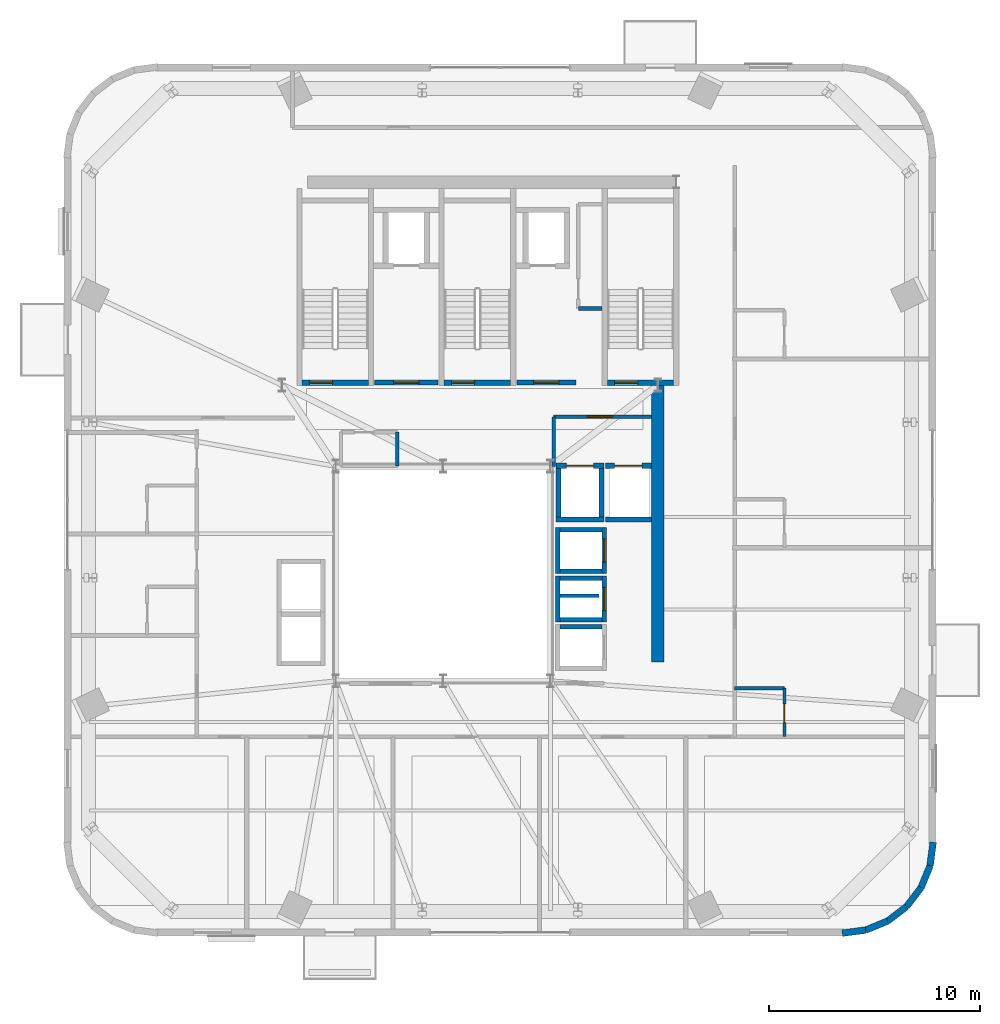
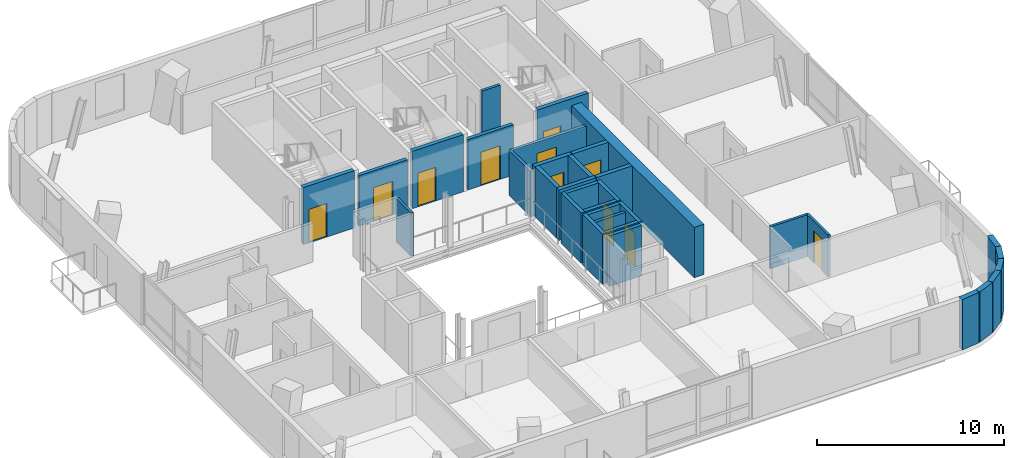
# One storey, part 7 of 13: 34 walls, 11 doors, 11 openings.
"""IFC4 building model written with IfcOpenShell, lengths in metres."""

import ifcopenshell
import ifcopenshell.guid

model = None  # the IFC model being written
_history = None  # IfcOwnerHistory: only IFC2X3 demands one
_inside = {}  # id of a spatial element -> (the spatial element, [elements in it])
_under = {}  # id of a project, library or spatial element -> (it, [spatial elements below it])
_declared = {}  # id of a project -> (the project, [libraries it declares])
_typed = {}  # id of a type object -> (the type object, [elements of that type])
_made_of = {}  # id of a material, layer set ... -> (it, [elements and type objects made of it])


def new_model(schema):
    """Start an empty IFC model of exactly this schema.

    Asked for "IFC4X3", IfcOpenShell would pick the latest addendum, in which some entities
    have other attributes; the version numbers below select the first issue.
    IFC2X3 requires an IfcOwnerHistory on every rooted entity: one is made here for all.
    """
    global model, _history
    if schema == "IFC4X3":
        model = ifcopenshell.file(schema_version=(4, 3, 0, 0))
    else:
        model = ifcopenshell.file(schema=schema)
    _inside.clear()
    _under.clear()
    _declared.clear()
    _typed.clear()
    _made_of.clear()
    _history = None
    if model.schema == "IFC2X3":
        org = make("IfcOrganization", Name="unknown")
        user = make(
            "IfcPersonAndOrganization",
            ThePerson=make("IfcPerson", FamilyName="unknown"),
            TheOrganization=org,
        )
        app = make(
            "IfcApplication",
            ApplicationDeveloper=org,
            Version="unknown",
            ApplicationFullName="unknown",
            ApplicationIdentifier="unknown",
        )
        _history = make(
            "IfcOwnerHistory",
            OwningUser=user,
            OwningApplication=app,
            ChangeAction="ADDED",
            CreationDate=0,
        )
    return model


def make(cls, **values):
    """One entity of the class cls with the attributes given. An attribute that is None is left unset."""
    return model.create_entity(
        cls, **{name: value for name, value in values.items() if value is not None}
    )


def rooted(cls, **values):
    """An entity with a GlobalId (a new one), such as an element, a storey or a relation."""
    return make(cls, GlobalId=ifcopenshell.guid.new(), OwnerHistory=_history, **values)


def si_unit(unit_type, name, prefix=None):
    """IfcSIUnit, for example si_unit("LENGTHUNIT", "METRE", prefix="MILLI")."""
    return make("IfcSIUnit", UnitType=unit_type, Prefix=prefix, Name=name)


def assignment(units):
    """IfcUnitAssignment: the units of a project."""
    return None if units is None else make("IfcUnitAssignment", Units=units)


def point(xyz):
    """IfcCartesianPoint."""
    return None if xyz is None else make("IfcCartesianPoint", Coordinates=xyz)


def direction(xyz):
    """IfcDirection."""
    return None if xyz is None else make("IfcDirection", DirectionRatios=xyz)


def frame(location, z_axis=None, x_axis=None):
    """IfcAxis2Placement3D, a coordinate frame: its origin and axes. An axis left out is left unset."""
    return make(
        "IfcAxis2Placement3D",
        Location=point(location),
        Axis=direction(z_axis),
        RefDirection=direction(x_axis),
    )


def frame_2d(location, x_axis=None):
    """IfcAxis2Placement2D, a coordinate frame in the plane: its origin and x axis."""
    return make(
        "IfcAxis2Placement2D", Location=point(location), RefDirection=direction(x_axis)
    )


def origin():
    """The frame at (0, 0, 0) with its axes left unset."""
    return frame((0.0, 0.0, 0.0))


def place(relative_to, where):
    """IfcLocalPlacement: puts the frame where relative to a parent placement (None: the world)."""
    return make(
        "IfcLocalPlacement", PlacementRelTo=relative_to, RelativePlacement=where
    )


def context(
    kind, dimensions, precision=None, world=None, true_north=None, identifier=None
):
    """IfcGeometricRepresentationContext, for example the 3D "Model" context."""
    return make(
        "IfcGeometricRepresentationContext",
        ContextIdentifier=identifier,
        ContextType=kind,
        CoordinateSpaceDimension=dimensions,
        Precision=precision,
        WorldCoordinateSystem=world,
        TrueNorth=true_north,
    )


def subcontext(parent, identifier, kind, view, scale=None):
    """IfcGeometricRepresentationSubContext, for example "Body" below "Model"."""
    return make(
        "IfcGeometricRepresentationSubContext",
        ContextIdentifier=identifier,
        ContextType=kind,
        ParentContext=parent,
        TargetScale=scale,
        TargetView=view,
    )


def project(units=None, contexts=None):
    """IfcProject with its units and contexts."""
    return rooted(
        "IfcProject",
        Name="project",
        RepresentationContexts=contexts,
        UnitsInContext=assignment(units),
    )


def spatial(cls, under=None, at=None, **own):
    """A site, building, storey or space (cls), placed at a placement, below another one or the project."""
    s = rooted(cls, ObjectPlacement=at, **own)
    if under is not None:
        _under.setdefault(under.id(), (under, []))[1].append(s)
    return s


def profile(cls, at=None, kind="AREA", **sizes):
    """A parametric profile (cls). Its sizes go by their IFC names, for example OverallWidth=200.0."""
    return make(cls, ProfileType=kind, Position=at, **sizes)


def rectangle(**sizes):
    """IfcRectangleProfileDef."""
    return profile("IfcRectangleProfileDef", **sizes)


def extrude(swept, where, along, depth):
    """IfcExtrudedAreaSolid: the profile swept, set in the frame where, extruded along a direction by depth."""
    return make(
        "IfcExtrudedAreaSolid",
        SweptArea=swept,
        Position=where,
        ExtrudedDirection=direction(along),
        Depth=depth,
    )


def shape(context_of_items, identifier, shape_type, items):
    """IfcShapeRepresentation: the items that make up one representation, for example the "Body"."""
    return make(
        "IfcShapeRepresentation",
        ContextOfItems=context_of_items,
        RepresentationIdentifier=identifier,
        RepresentationType=shape_type,
        Items=items,
    )


def source(mapping_origin, context_of_items, identifier, shape_type, items):
    """IfcRepresentationMap: a shape defined once, which mapped items show again and again."""
    return make(
        "IfcRepresentationMap",
        MappingOrigin=mapping_origin,
        MappedRepresentation=shape(context_of_items, identifier, shape_type, items),
    )


def transform(
    local_origin,
    x_axis=None,
    y_axis=None,
    z_axis=None,
    scale=None,
    scale2=None,
    scale3=None,
    uniform=True,
):
    """IfcCartesianTransformationOperator3D, or its non-uniform kind. x_axis, y_axis, z_axis: its Axis1, 2, 3."""
    if uniform:
        return make(
            "IfcCartesianTransformationOperator3D",
            Axis1=direction(x_axis),
            Axis2=direction(y_axis),
            LocalOrigin=point(local_origin),
            Scale=scale,
            Axis3=direction(z_axis),
        )
    return make(
        "IfcCartesianTransformationOperator3DnonUniform",
        Axis1=direction(x_axis),
        Axis2=direction(y_axis),
        LocalOrigin=point(local_origin),
        Scale=scale,
        Axis3=direction(z_axis),
        Scale2=scale2,
        Scale3=scale3,
    )


def mapped(mapping_source, mapping_target):
    """IfcMappedItem: shows the shape of a source again, moved by a transform."""
    return make(
        "IfcMappedItem", MappingSource=mapping_source, MappingTarget=mapping_target
    )


def material(Name=None, Category=None):
    """IfcMaterial."""
    return make("IfcMaterial", Name=Name, Category=Category)


def layer(
    of_material, thickness, ventilated=None, Name=None, Category=None, Priority=None
):
    """IfcMaterialLayer: one layer of a wall or slab, of a material (None: an air gap)."""
    return make(
        "IfcMaterialLayer",
        Material=of_material,
        LayerThickness=thickness,
        IsVentilated=ventilated,
        Name=Name,
        Category=Category,
        Priority=Priority,
    )


def layer_set(layers, Name=None):
    """IfcMaterialLayerSet."""
    return make("IfcMaterialLayerSet", MaterialLayers=layers, LayerSetName=Name)


def made_of(thing, what):
    """Note that an element or type object is made of a material, layer set ...; save() writes the relation."""
    if what is not None:
        _made_of.setdefault(what.id(), (what, []))[1].append(thing)
    return thing


def type_object(cls, material=None, **own):
    """A type object (cls), such as IfcWallType, which elements share."""
    return made_of(rooted(cls, **own), material)


def element(
    cls,
    number,
    at=None,
    inside=None,
    cuts=None,
    type_object=None,
    material=None,
    context=None,
    identifier="Body",
    shape_type=None,
    held_by="IfcProductDefinitionShape",
    body=None,
    shapes=None,
    **own,
):
    """One element of the class cls, such as IfcWall. Its Tag is "e" and its number.

    at: its placement. inside: the storey or other place that contains it. cuts: it is an
    opening in that element (IfcRelVoidsElement). A single representation is given by context,
    identifier, shape_type and body (its items); several are given by shapes. held_by: the class
    of the entity that holds the representations. save() writes the other relations.
    """
    e = rooted(cls, Tag="e%d" % number, ObjectPlacement=at, **own)
    if body is not None:
        shapes = [shape(context, identifier, shape_type, body)]
    if shapes is not None:
        e.Representation = make(held_by, Representations=shapes)
    if inside is not None:
        _inside.setdefault(inside.id(), (inside, []))[1].append(e)
    if cuts is not None:
        rooted(
            "IfcRelVoidsElement", RelatingBuildingElement=cuts, RelatedOpeningElement=e
        )
    if type_object is not None:
        _typed.setdefault(type_object.id(), (type_object, []))[1].append(e)
    return made_of(e, material)


def fill(opening, filler):
    """IfcRelFillsElement: the door or window that sits in an opening."""
    return rooted(
        "IfcRelFillsElement",
        RelatingOpeningElement=opening,
        RelatedBuildingElement=filler,
    )


def aggregate(whole, parts):
    """IfcRelAggregates: a whole, such as a stair, and the parts it consists of."""
    return rooted("IfcRelAggregates", RelatingObject=whole, RelatedObjects=parts)


def save(model, path):
    """Write the relations noted so far, then the file.

    IfcRelAggregates (storeys below a building ...), IfcRelContainedInSpatialStructure (elements
    in a storey), IfcRelDefinesByType, IfcRelAssociatesMaterial and IfcRelDeclares: one each for
    every whole, place, type object, material and project.
    """
    for whole, parts in _under.values():
        aggregate(whole, parts)
    for where, things in _inside.values():
        rooted(
            "IfcRelContainedInSpatialStructure",
            RelatedElements=things,
            RelatingStructure=where,
        )
    for kind, things in _typed.values():
        rooted("IfcRelDefinesByType", RelatedObjects=things, RelatingType=kind)
    for what, things in _made_of.values():
        rooted("IfcRelAssociatesMaterial", RelatedObjects=things, RelatingMaterial=what)
    for by, libraries in _declared.values():
        rooted("IfcRelDeclares", RelatingContext=by, RelatedDefinitions=libraries)
    model.write(path)


model = new_model("IFC4")

# Units and contexts
model_context = context("Model", 3, precision=1e-05, world=origin(), true_north=direction((0.0, 1.0)))
body_context = subcontext(model_context, "Body", "Model", "MODEL_VIEW")
ifc_project = project(units=[si_unit("LENGTHUNIT", "METRE"), si_unit("AREAUNIT", "SQUARE_METRE"), si_unit("VOLUMEUNIT", "CUBIC_METRE"), si_unit("PLANEANGLEUNIT", "RADIAN"), si_unit("MASSUNIT", "GRAM", prefix="KILO")], contexts=[model_context])

# Site, building, storey
site_placement = place(None, origin())
site = spatial("IfcSite", under=ifc_project, at=site_placement, CompositionType="ELEMENT")
building_placement = place(site_placement, origin())
building = spatial("IfcBuilding", under=site, at=building_placement, Name="Vardaveli Station Tower", CompositionType="ELEMENT")
storey_placement = place(building_placement, frame((0.0, 0.0, 274.300048828125)))
storey = spatial("IfcBuildingStorey", under=building, at=storey_placement, Name="L70", CompositionType="ELEMENT", Elevation=274.300048828125)

# Walls
ifc_material_1 = material(Name="Concrete C50/60", Category="concrete")
ifc_layer_1 = layer(ifc_material_1, 0.60009765625, Name="Concrete C50/60")
ifc_layer_set_1 = layer_set([ifc_layer_1], Name="Concrete C50/60")
wall_type_1 = type_object("IfcWallType", Name="WAL-CORE-600", PredefinedType="SHEAR", material=ifc_layer_set_1)
shared_shape_1 = source(origin(), body_context, "Body", "SweptSolid", [
    extrude(rectangle(XDim=13.14990234375, YDim=0.60009765625, at=frame_2d((6.574951171875, 0.0))), origin(), (0.0, 0.0, 1.0), 3.300048828125),
])
wall_1_placement = place(storey_placement, frame((46.5, 17.5, 0.0), z_axis=(0.0, 0.0, 1.0), x_axis=(0.0, 1.0, 0.0)))
element("IfcWall", 1, at=wall_1_placement, inside=storey, type_object=wall_type_1, Name="SW-L70-EAST2", PredefinedType="SHEAR", context=body_context, shape_type="MappedRepresentation", body=[
    mapped(shared_shape_1, transform((0.0, 0.0, 0.0), scale=1.0)),
])
ifc_material_2 = material(Name="Precast concrete C45/55", Category="concrete")
ifc_layer_2 = layer(ifc_material_2, 0.320068359375, Name="Precast concrete C45/55")
ifc_layer_set_2 = layer_set([ifc_layer_2], Name="Precast concrete C45/55")
wall_type_2 = type_object("IfcWallType", Name="WAL-EXT-STONE-320", PredefinedType="SOLIDWALL", material=ifc_layer_set_2)
shared_shape_2 = source(origin(), body_context, "Body", "SweptSolid", [
    extrude(rectangle(XDim=1.1298828125, YDim=0.320068359375, at=frame_2d((0.56494140625, 0.0))), origin(), (0.0, 0.0, 1.0), 3.300048828125),
])
for number, where, z_axis, x_axis, name in (
    (2, (55.25390625, 4.62548828125, 0.0), (0.0, 0.0, 1.0), (0.991784942297, 0.12791648929, 0.0), "EW-L70-CR2-1"),
    (3, (59.429931640625, 7.82568359375, 0.0), (0.0, 0.0, 1.0), (0.12791648929, 0.991784942297, 0.0), "EW-L70-CR2-6"),
):
    element("IfcWall", number, at=place(storey_placement, frame(where, z_axis=z_axis, x_axis=x_axis)), inside=storey, type_object=wall_type_2, Name=name, PredefinedType="SOLIDWALL", context=body_context, shape_type="MappedRepresentation", body=[
        mapped(shared_shape_2, transform((0.0, 0.0, 0.0), scale=1.0)),
    ])
shared_shape_3 = source(origin(), body_context, "Body", "SweptSolid", [
    extrude(rectangle(XDim=1.128662109375, YDim=0.320068359375, at=frame_2d((0.564453125, 0.0))), origin(), (0.0, 0.0, 1.0), 3.300048828125),
])
wall_2_placement = place(storey_placement, frame((59.0, 6.781982421875, 0.0), z_axis=(0.0, 0.0, 1.0), x_axis=(0.380880341178, 0.924624337612, 0.0)))
element("IfcWall", 4, at=wall_2_placement, inside=storey, type_object=wall_type_2, Name="EW-L70-CR2-5", PredefinedType="SOLIDWALL", context=body_context, shape_type="MappedRepresentation", body=[
    mapped(shared_shape_3, transform((0.0, 0.0, 0.0), scale=1.0)),
])
shared_shape_4 = source(origin(), body_context, "Body", "SweptSolid", [
    extrude(rectangle(XDim=1.12841796875, YDim=0.320068359375, at=frame_2d((0.564208984375, 0.0))), origin(), (0.0, 0.0, 1.0), 3.300048828125),
])
wall_3_placement = place(storey_placement, frame((58.313720703125, 5.88623046875, 0.0), z_axis=(0.0, 0.0, 1.0), x_axis=(0.608172612566, 0.793804808076, 0.0)))
element("IfcWall", 5, at=wall_3_placement, inside=storey, type_object=wall_type_2, Name="EW-L70-CR2-4", PredefinedType="SOLIDWALL", context=body_context, shape_type="MappedRepresentation", body=[
    mapped(shared_shape_4, transform((0.0, 0.0, 0.0), scale=1.0)),
])
shared_shape_5 = source(origin(), body_context, "Body", "SweptSolid", [
    extrude(rectangle(XDim=1.128173828125, YDim=0.320068359375, at=frame_2d((0.56396484375, 0.0))), origin(), (0.0, 0.0, 1.0), 3.300048828125),
])
wall_4_placement = place(storey_placement, frame((57.418212890625, 5.2001953125, 0.0), z_axis=(0.0, 0.0, 1.0), x_axis=(0.793829240499, 0.60814072132, 0.0)))
element("IfcWall", 6, at=wall_4_placement, inside=storey, type_object=wall_type_2, Name="EW-L70-CR2-3", PredefinedType="SOLIDWALL", context=body_context, shape_type="MappedRepresentation", body=[
    mapped(shared_shape_5, transform((0.0, 0.0, 0.0), scale=1.0)),
])
shared_shape_6 = source(origin(), body_context, "Body", "SweptSolid", [
    extrude(rectangle(XDim=1.12890625, YDim=0.320068359375, at=frame_2d((0.564453125, 0.0))), origin(), (0.0, 0.0, 1.0), 3.300048828125),
])
wall_5_placement = place(storey_placement, frame((56.37451171875, 4.77001953125, 0.0), z_axis=(0.0, 0.0, 1.0), x_axis=(0.924548155555, 0.381065228091, 0.0)))
element("IfcWall", 7, at=wall_5_placement, inside=storey, type_object=wall_type_2, Name="EW-L70-CR2-2", PredefinedType="SOLIDWALL", context=body_context, shape_type="MappedRepresentation", body=[
    mapped(shared_shape_6, transform((0.0, 0.0, 0.0), scale=1.0)),
])

# Wall, opening, door
ifc_material_3 = material(Name="Concrete C40/50", Category="concrete")
ifc_layer_3 = layer(ifc_material_3, 0.25, Name="Concrete C40/50")
ifc_layer_set_3 = layer_set([ifc_layer_3], Name="Concrete C40/50")
wall_type_3 = type_object("IfcWallType", Name="WAL-SHAFT-250", PredefinedType="SOLIDWALL", material=ifc_layer_set_3)
shared_shape_7 = source(origin(), body_context, "Body", "SweptSolid", [
    extrude(rectangle(XDim=3.14990234375, YDim=0.25, at=frame_2d((1.574951171875, 0.0))), origin(), (0.0, 0.0, 1.0), 3.75),
])
wall_6_placement = place(storey_placement, frame((29.60009765625, 30.77490234375, 0.0), z_axis=(0.0, 0.0, 1.0), x_axis=(1.0, 0.0, 0.0)))
wall_6 = element("IfcWall", 8, at=wall_6_placement, inside=storey, type_object=wall_type_3, Name="W-L70-ST-1S", PredefinedType="SOLIDWALL", context=body_context, shape_type="MappedRepresentation", body=[
    mapped(shared_shape_7, transform((0.0, 0.0, 0.0), scale=1.0)),
])
shared_shape_8 = source(origin(), body_context, "Body", "SweptSolid", [
    extrude(rectangle(XDim=1.10009765625, YDim=2.199951171875, at=frame_2d((0.550048828125, 1.10009765625))), frame((0.0, 0.135009765625, 0.0), z_axis=(0.0, -1.0, 0.0), x_axis=(1.0, 0.0, 0.0)), (0.0, 0.0, 1.0), 0.27001953125),
])
opening_1_placement = place(wall_6_placement, frame((0.35009765625, 0.0, 0.0)))
opening_1 = element("IfcOpeningElement", 9, at=opening_1_placement, cuts=wall_6, Name="Opening D-04", PredefinedType="OPENING", context=body_context, shape_type="MappedRepresentation", body=[
    mapped(shared_shape_8, transform((0.0, 0.0, 0.0), scale=1.0)),
])
ifc_material_4 = material(Name="Steel smokeproof fire doorset", Category="steel")
door_type_1 = type_object("IfcDoorType", Name="DR-ST-1100x2200", OperationType="NOTDEFINED", PredefinedType="DOOR", material=ifc_material_4)
shared_shape_9 = source(origin(), body_context, "Body", "SweptSolid", [
    extrude(rectangle(XDim=1.10009765625, YDim=2.199951171875, at=frame_2d((0.550048828125, 1.10009765625))), frame((0.0, 0.02490234375, 0.0), z_axis=(0.0, -1.0, 0.0), x_axis=(1.0, 0.0, 0.0)), (0.0, 0.0, 1.0), 0.050048828125),
])
door_1_placement = place(opening_1_placement, origin())
door_1 = element("IfcDoor", 10, at=door_1_placement, inside=storey, type_object=door_type_1, Name="DST-1-L70", OperationType="SINGLE_SWING_LEFT", OverallHeight=2.199951171875, OverallWidth=1.10009765625, PredefinedType="DOOR", context=body_context, shape_type="MappedRepresentation", body=[
    mapped(shared_shape_9, transform((0.0, 0.0, 0.0), scale=1.0)),
])
fill(opening_1, door_1)

wall_7_placement = place(storey_placement, frame((36.35009765625, 30.77490234375, 0.0), z_axis=(0.0, 0.0, 1.0), x_axis=(1.0, 0.0, 0.0)))
wall_7 = element("IfcWall", 11, at=wall_7_placement, inside=storey, type_object=wall_type_3, Name="W-L70-ST-2S", PredefinedType="SOLIDWALL", context=body_context, shape_type="MappedRepresentation", body=[
    mapped(shared_shape_7, transform((0.0, 0.0, 0.0), scale=1.0)),
])
opening_2_placement = place(wall_7_placement, frame((0.35009765625, 0.0, 0.0)))
opening_2 = element("IfcOpeningElement", 12, at=opening_2_placement, cuts=wall_7, Name="Opening D-04", PredefinedType="OPENING", context=body_context, shape_type="MappedRepresentation", body=[
    mapped(shared_shape_8, transform((0.0, 0.0, 0.0), scale=1.0)),
])
door_2_placement = place(opening_2_placement, origin())
door_2 = element("IfcDoor", 13, at=door_2_placement, inside=storey, type_object=door_type_1, Name="DST-2-L70", OperationType="SINGLE_SWING_LEFT", OverallHeight=2.199951171875, OverallWidth=1.10009765625, PredefinedType="DOOR", context=body_context, shape_type="MappedRepresentation", body=[
    mapped(shared_shape_9, transform((0.0, 0.0, 0.0), scale=1.0)),
])
fill(opening_2, door_2)

wall_8_placement = place(storey_placement, frame((44.10009765625, 30.77490234375, 0.0), z_axis=(0.0, 0.0, 1.0), x_axis=(1.0, 0.0, 0.0)))
wall_8 = element("IfcWall", 14, at=wall_8_placement, inside=storey, type_object=wall_type_3, Name="W-L70-ST-3S", PredefinedType="SOLIDWALL", context=body_context, shape_type="MappedRepresentation", body=[
    mapped(shared_shape_7, transform((0.0, 0.0, 0.0), scale=1.0)),
])
opening_3_placement = place(wall_8_placement, frame((0.35009765625, 0.0, 0.0)))
opening_3 = element("IfcOpeningElement", 15, at=opening_3_placement, cuts=wall_8, Name="Opening D-04", PredefinedType="OPENING", context=body_context, shape_type="MappedRepresentation", body=[
    mapped(shared_shape_8, transform((0.0, 0.0, 0.0), scale=1.0)),
])
door_3_placement = place(opening_3_placement, origin())
door_3 = element("IfcDoor", 16, at=door_3_placement, inside=storey, type_object=door_type_1, Name="DST-3-L70", OperationType="SINGLE_SWING_LEFT", OverallHeight=2.199951171875, OverallWidth=1.10009765625, PredefinedType="DOOR", context=body_context, shape_type="MappedRepresentation", body=[
    mapped(shared_shape_9, transform((0.0, 0.0, 0.0), scale=1.0)),
])
fill(opening_3, door_3)

ifc_layer_4 = layer(ifc_material_3, 0.219970703125, Name="Concrete C40/50")
ifc_layer_set_4 = layer_set([ifc_layer_4], Name="Concrete C40/50")
wall_type_4 = type_object("IfcWallType", Name="WAL-FFLOBBY-220", PredefinedType="SOLIDWALL", material=ifc_layer_set_4)
shared_shape_10 = source(origin(), body_context, "Body", "SweptSolid", [
    extrude(rectangle(XDim=3.0, YDim=0.219970703125, at=frame_2d((1.5, 0.0))), origin(), (0.0, 0.0, 1.0), 3.300048828125),
])
wall_9_placement = place(storey_placement, frame((33.050048828125, 30.780029296875, 0.0), z_axis=(0.0, 0.0, 1.0), x_axis=(1.0, 0.0, 0.0)))
wall_9 = element("IfcWall", 17, at=wall_9_placement, inside=storey, type_object=wall_type_4, Name="W-L70-FFL1S", PredefinedType="SOLIDWALL", context=body_context, shape_type="MappedRepresentation", body=[
    mapped(shared_shape_10, transform((0.0, 0.0, 0.0), scale=1.0)),
])
shared_shape_11 = source(origin(), body_context, "Body", "SweptSolid", [
    extrude(rectangle(XDim=1.199951171875, YDim=2.199951171875, at=frame_2d((0.60009765625, 1.10009765625))), frame((0.0, 0.1201171875, 0.0), z_axis=(0.0, -1.0, 0.0), x_axis=(1.0, 0.0, 0.0)), (0.0, 0.0, 1.0), 0.239990234375),
])
opening_4_placement = place(wall_9_placement, frame((0.89990234375, 0.0, 0.0)))
opening_4 = element("IfcOpeningElement", 18, at=opening_4_placement, cuts=wall_9, Name="Opening D-03", PredefinedType="OPENING", context=body_context, shape_type="MappedRepresentation", body=[
    mapped(shared_shape_11, transform((0.0, 0.0, 0.0), scale=1.0)),
])
door_type_2 = type_object("IfcDoorType", Name="DR-FFL-1200x2200", OperationType="NOTDEFINED", PredefinedType="DOOR", material=ifc_material_4)
shared_shape_12 = source(origin(), body_context, "Body", "SweptSolid", [
    extrude(rectangle(XDim=1.199951171875, YDim=2.199951171875, at=frame_2d((0.60009765625, 1.10009765625))), frame((0.0, 0.02490234375, 0.0), z_axis=(0.0, -1.0, 0.0), x_axis=(1.0, 0.0, 0.0)), (0.0, 0.0, 1.0), 0.050048828125),
])
door_4_placement = place(opening_4_placement, origin())
door_4 = element("IfcDoor", 19, at=door_4_placement, inside=storey, type_object=door_type_2, Name="DFFL1-L70", OperationType="SINGLE_SWING_LEFT", OverallHeight=2.199951171875, OverallWidth=1.199951171875, PredefinedType="DOOR", context=body_context, shape_type="MappedRepresentation", body=[
    mapped(shared_shape_12, transform((0.0, 0.0, 0.0), scale=1.0)),
])
fill(opening_4, door_4)

shared_shape_13 = source(origin(), body_context, "Body", "SweptSolid", [
    extrude(rectangle(XDim=2.800048828125, YDim=0.219970703125, at=frame_2d((1.39990234375, 0.0))), origin(), (0.0, 0.0, 1.0), 3.300048828125),
])
wall_10_placement = place(storey_placement, frame((39.800048828125, 30.780029296875, 0.0), z_axis=(0.0, 0.0, 1.0), x_axis=(1.0, 0.0, 0.0)))
wall_10 = element("IfcWall", 20, at=wall_10_placement, inside=storey, type_object=wall_type_4, Name="W-L70-FFL2S", PredefinedType="SOLIDWALL", context=body_context, shape_type="MappedRepresentation", body=[
    mapped(shared_shape_13, transform((0.0, 0.0, 0.0), scale=1.0)),
])
opening_5_placement = place(wall_10_placement, frame((0.800048828125, 0.0, 0.0)))
opening_5 = element("IfcOpeningElement", 21, at=opening_5_placement, cuts=wall_10, Name="Opening D-03", PredefinedType="OPENING", context=body_context, shape_type="MappedRepresentation", body=[
    mapped(shared_shape_11, transform((0.0, 0.0, 0.0), scale=1.0)),
])
door_5_placement = place(opening_5_placement, origin())
door_5 = element("IfcDoor", 22, at=door_5_placement, inside=storey, type_object=door_type_2, Name="DFFL2-L70", OperationType="SINGLE_SWING_RIGHT", OverallHeight=2.199951171875, OverallWidth=1.199951171875, PredefinedType="DOOR", context=body_context, shape_type="MappedRepresentation", body=[
    mapped(shared_shape_12, transform((0.0, 0.0, 0.0), scale=1.0)),
])
fill(opening_5, door_5)

# Walls
shared_shape_14 = source(origin(), body_context, "Body", "SweptSolid", [
    extrude(rectangle(XDim=2.0, YDim=0.219970703125, at=frame_2d((1.0, 0.0))), origin(), (0.0, 0.0, 1.0), 3.300048828125),
])
for number, where, z_axis, x_axis, name in (
    (23, (41.85009765625, 21.81494140625, 0.0), (0.0, 0.0, 1.0), (1.0, 0.0, 0.0), "SHW-HL3-01-L70-S"),
    (24, (41.85009765625, 23.784912109375, 0.0), (0.0, 0.0, 1.0), (1.0, 0.0, 0.0), "SHW-HL3-01-L70-N"),
    (25, (41.85009765625, 19.514892578125, 0.0), (0.0, 0.0, 1.0), (1.0, 0.0, 0.0), "SHW-HL3-02-L70-S"),
    (26, (41.85009765625, 21.485107421875, 0.0), (0.0, 0.0, 1.0), (1.0, 0.0, 0.0), "SHW-HL3-02-L70-N"),
    (27, (41.85009765625, 19.18505859375, 0.0), (0.0, 0.0, 1.0), (1.0, 0.0, 0.0), "SHW-HL3-03-L70-N"),
):
    element("IfcWall", number, at=place(storey_placement, frame(where, z_axis=z_axis, x_axis=x_axis)), inside=storey, type_object=wall_type_4, Name=name, PredefinedType="SOLIDWALL", context=body_context, shape_type="MappedRepresentation", body=[
        mapped(shared_shape_14, transform((0.0, 0.0, 0.0), scale=1.0)),
    ])
shared_shape_15 = source(origin(), body_context, "Body", "SweptSolid", [
    extrude(rectangle(XDim=2.18994140625, YDim=0.219970703125, at=frame_2d((1.094970703125, 0.0))), origin(), (0.0, 0.0, 1.0), 3.300048828125),
])
wall_11_placement = place(storey_placement, frame((41.739990234375, 21.705078125, 0.0), z_axis=(0.0, 0.0, 1.0), x_axis=(0.0, 1.0, 0.0)))
element("IfcWall", 28, at=wall_11_placement, inside=storey, type_object=wall_type_4, Name="SHW-HL3-01-L70-W", PredefinedType="SOLIDWALL", context=body_context, shape_type="MappedRepresentation", body=[
    mapped(shared_shape_15, transform((0.0, 0.0, 0.0), scale=1.0)),
])

# Wall, opening, door
wall_12_placement = place(storey_placement, frame((43.9599609375, 21.705078125, 0.0), z_axis=(0.0, 0.0, 1.0), x_axis=(0.0, 1.0, 0.0)))
wall_12 = element("IfcWall", 29, at=wall_12_placement, inside=storey, type_object=wall_type_4, Name="SHW-HL3-01-L70-E", PredefinedType="SOLIDWALL", context=body_context, shape_type="MappedRepresentation", body=[
    mapped(shared_shape_15, transform((0.0, 0.0, 0.0), scale=1.0)),
])
shared_shape_16 = source(origin(), body_context, "Body", "SweptSolid", [
    extrude(rectangle(XDim=1.10009765625, YDim=2.199951171875, at=frame_2d((0.550048828125, 1.10009765625))), frame((0.0, 0.1201171875, 0.0), z_axis=(0.0, -1.0, 0.0), x_axis=(1.0, 0.0, 0.0)), (0.0, 0.0, 1.0), 0.239990234375),
])
opening_6_placement = place(wall_12_placement, frame((0.544921875, 0.0, 0.0)))
opening_6 = element("IfcOpeningElement", 30, at=opening_6_placement, cuts=wall_12, Name="Opening LD-01", PredefinedType="OPENING", context=body_context, shape_type="MappedRepresentation", body=[
    mapped(shared_shape_16, transform((0.0, 0.0, 0.0), scale=1.0)),
])
ifc_material_5 = material(Name="Brushed stainless steel", Category="steel")
door_type_3 = type_object("IfcDoorType", Name="DR-LD-1100x2200", OperationType="DOUBLE_DOOR_SLIDING", PredefinedType="DOOR", material=ifc_material_5)
door_6_placement = place(opening_6_placement, origin())
door_6 = element("IfcDoor", 31, at=door_6_placement, inside=storey, type_object=door_type_3, Name="LD-HL3-01-L70", OperationType="DOUBLE_DOOR_SLIDING", OverallHeight=2.199951171875, OverallWidth=1.10009765625, PredefinedType="DOOR", context=body_context, shape_type="MappedRepresentation", body=[
    mapped(shared_shape_9, transform((0.0, 0.0, 0.0), scale=1.0)),
])
fill(opening_6, door_6)

# Wall
wall_13_placement = place(storey_placement, frame((41.739990234375, 19.405029296875, 0.0), z_axis=(0.0, 0.0, 1.0), x_axis=(0.0, 1.0, 0.0)))
element("IfcWall", 32, at=wall_13_placement, inside=storey, type_object=wall_type_4, Name="SHW-HL3-02-L70-W", PredefinedType="SOLIDWALL", context=body_context, shape_type="MappedRepresentation", body=[
    mapped(shared_shape_15, transform((0.0, 0.0, 0.0), scale=1.0)),
])

# Wall, opening, door
wall_14_placement = place(storey_placement, frame((43.9599609375, 19.405029296875, 0.0), z_axis=(0.0, 0.0, 1.0), x_axis=(0.0, 1.0, 0.0)))
wall_14 = element("IfcWall", 33, at=wall_14_placement, inside=storey, type_object=wall_type_4, Name="SHW-HL3-02-L70-E", PredefinedType="SOLIDWALL", context=body_context, shape_type="MappedRepresentation", body=[
    mapped(shared_shape_15, transform((0.0, 0.0, 0.0), scale=1.0)),
])
opening_7_placement = place(wall_14_placement, frame((0.544921875, 0.0, 0.0)))
opening_7 = element("IfcOpeningElement", 34, at=opening_7_placement, cuts=wall_14, Name="Opening LD-01", PredefinedType="OPENING", context=body_context, shape_type="MappedRepresentation", body=[
    mapped(shared_shape_16, transform((0.0, 0.0, 0.0), scale=1.0)),
])
door_7_placement = place(opening_7_placement, origin())
door_7 = element("IfcDoor", 35, at=door_7_placement, inside=storey, type_object=door_type_3, Name="LD-HL3-02-L70", OperationType="DOUBLE_DOOR_SLIDING", OverallHeight=2.199951171875, OverallWidth=1.10009765625, PredefinedType="DOOR", context=body_context, shape_type="MappedRepresentation", body=[
    mapped(shared_shape_9, transform((0.0, 0.0, 0.0), scale=1.0)),
])
fill(opening_7, door_7)

# Wall
shared_shape_17 = source(origin(), body_context, "Body", "SweptSolid", [
    extrude(rectangle(XDim=2.300048828125, YDim=0.25, at=frame_2d((1.14990234375, 0.0))), origin(), (0.0, 0.0, 1.0), 3.300048828125),
])
wall_15_placement = place(storey_placement, frame((41.64990234375, 24.27490234375, 0.0), z_axis=(0.0, 0.0, 1.0), x_axis=(1.0, 0.0, 0.0)))
element("IfcWall", 36, at=wall_15_placement, inside=storey, type_object=wall_type_3, Name="SHW-SRV-01-L70-S", PredefinedType="SOLIDWALL", context=body_context, shape_type="MappedRepresentation", body=[
    mapped(shared_shape_17, transform((0.0, 0.0, 0.0), scale=1.0)),
])

# Wall, opening, door
wall_16_placement = place(storey_placement, frame((41.64990234375, 26.824951171875, 0.0), z_axis=(0.0, 0.0, 1.0), x_axis=(1.0, 0.0, 0.0)))
wall_16 = element("IfcWall", 37, at=wall_16_placement, inside=storey, type_object=wall_type_3, Name="SHW-SRV-01-L70-N", PredefinedType="SOLIDWALL", context=body_context, shape_type="MappedRepresentation", body=[
    mapped(shared_shape_17, transform((0.0, 0.0, 0.0), scale=1.0)),
])
shared_shape_18 = source(origin(), body_context, "Body", "SweptSolid", [
    extrude(rectangle(XDim=1.300048828125, YDim=2.300048828125, at=frame_2d((0.64990234375, 1.14990234375))), frame((0.0, 0.135009765625, 0.0), z_axis=(0.0, -1.0, 0.0), x_axis=(1.0, 0.0, 0.0)), (0.0, 0.0, 1.0), 0.27001953125),
])
opening_8_placement = place(wall_16_placement, frame((0.5, 0.0, 0.0)))
opening_8 = element("IfcOpeningElement", 38, at=opening_8_placement, cuts=wall_16, Name="Opening LD-03", PredefinedType="OPENING", context=body_context, shape_type="MappedRepresentation", body=[
    mapped(shared_shape_18, transform((0.0, 0.0, 0.0), scale=1.0)),
])
door_type_4 = type_object("IfcDoorType", Name="DR-LD-1300x2300", OperationType="DOUBLE_DOOR_SLIDING", PredefinedType="DOOR", material=ifc_material_5)
shared_shape_19 = source(origin(), body_context, "Body", "SweptSolid", [
    extrude(rectangle(XDim=1.300048828125, YDim=2.300048828125, at=frame_2d((0.64990234375, 1.14990234375))), frame((0.0, 0.02490234375, 0.0), z_axis=(0.0, -1.0, 0.0), x_axis=(1.0, 0.0, 0.0)), (0.0, 0.0, 1.0), 0.050048828125),
])
door_8_placement = place(opening_8_placement, origin())
door_8 = element("IfcDoor", 39, at=door_8_placement, inside=storey, type_object=door_type_4, Name="LD-SRV-01-L70", OperationType="DOUBLE_DOOR_SLIDING", OverallHeight=2.300048828125, OverallWidth=1.300048828125, PredefinedType="DOOR", context=body_context, shape_type="MappedRepresentation", body=[
    mapped(shared_shape_19, transform((0.0, 0.0, 0.0), scale=1.0)),
])
fill(opening_8, door_8)

# Walls
for number, where, z_axis, x_axis, name in (
    (40, (41.77490234375, 24.39990234375, 0.0), (0.0, 0.0, 1.0), (0.0, 1.0, 0.0), "SHW-SRV-01-L70-W"),
    (41, (43.824951171875, 24.39990234375, 0.0), (0.0, 0.0, 1.0), (0.0, 1.0, 0.0), "SHW-SRV-01-L70-E"),
):
    element("IfcWall", number, at=place(storey_placement, frame(where, z_axis=z_axis, x_axis=x_axis)), inside=storey, type_object=wall_type_3, Name=name, PredefinedType="SOLIDWALL", context=body_context, shape_type="MappedRepresentation", body=[
        mapped(shared_shape_17, transform((0.0, 0.0, 0.0), scale=1.0)),
    ])
shared_shape_20 = source(origin(), body_context, "Body", "SweptSolid", [
    extrude(rectangle(XDim=2.199951171875, YDim=0.25, at=frame_2d((1.10009765625, 0.0))), origin(), (0.0, 0.0, 1.0), 3.300048828125),
])
wall_17_placement = place(storey_placement, frame((44.0, 24.27490234375, 0.0), z_axis=(0.0, 0.0, 1.0), x_axis=(1.0, 0.0, 0.0)))
element("IfcWall", 42, at=wall_17_placement, inside=storey, type_object=wall_type_3, Name="SHW-SRV-02-L70-S", PredefinedType="SOLIDWALL", context=body_context, shape_type="MappedRepresentation", body=[
    mapped(shared_shape_20, transform((0.0, 0.0, 0.0), scale=1.0)),
])

# Wall, opening, door
wall_18_placement = place(storey_placement, frame((44.0, 26.824951171875, 0.0), z_axis=(0.0, 0.0, 1.0), x_axis=(1.0, 0.0, 0.0)))
wall_18 = element("IfcWall", 43, at=wall_18_placement, inside=storey, type_object=wall_type_3, Name="SHW-SRV-02-L70-N", PredefinedType="SOLIDWALL", context=body_context, shape_type="MappedRepresentation", body=[
    mapped(shared_shape_20, transform((0.0, 0.0, 0.0), scale=1.0)),
])
opening_9_placement = place(wall_18_placement, frame((0.449951171875, 0.0, 0.0)))
opening_9 = element("IfcOpeningElement", 44, at=opening_9_placement, cuts=wall_18, Name="Opening LD-03", PredefinedType="OPENING", context=body_context, shape_type="MappedRepresentation", body=[
    mapped(shared_shape_18, transform((0.0, 0.0, 0.0), scale=1.0)),
])
door_9_placement = place(opening_9_placement, origin())
door_9 = element("IfcDoor", 45, at=door_9_placement, inside=storey, type_object=door_type_4, Name="LD-SRV-02-L70", OperationType="DOUBLE_DOOR_SLIDING", OverallHeight=2.300048828125, OverallWidth=1.300048828125, PredefinedType="DOOR", context=body_context, shape_type="MappedRepresentation", body=[
    mapped(shared_shape_19, transform((0.0, 0.0, 0.0), scale=1.0)),
])
fill(opening_9, door_9)

ifc_material_6 = material(Name="Fire-rated gypsum stud partition")
ifc_layer_5 = layer(ifc_material_6, 0.179931640625, Name="Fire-rated gypsum stud partition")
ifc_layer_set_5 = layer_set([ifc_layer_5], Name="Fire-rated gypsum stud partition")
wall_type_5 = type_object("IfcWallType", Name="WAL-CORR-180", PredefinedType="PARTITIONING", material=ifc_layer_set_5)
shared_shape_21 = source(origin(), body_context, "Body", "SweptSolid", [
    extrude(rectangle(XDim=4.64794921875, YDim=0.179931640625, at=frame_2d((2.323974609375, 0.0))), origin(), (0.0, 0.0, 1.0), 2.931884765625),
])
wall_19_placement = place(storey_placement, frame((41.550048828125, 29.14990234375, 0.0), z_axis=(0.0, 0.0, 1.0), x_axis=(1.0, 0.0, 0.0)))
wall_19 = element("IfcWall", 46, at=wall_19_placement, inside=storey, type_object=wall_type_5, Name="W-L70-SVFN", PredefinedType="PARTITIONING", context=body_context, shape_type="MappedRepresentation", body=[
    mapped(shared_shape_21, transform((0.0, 0.0, 0.0), scale=1.0)),
])
shared_shape_22 = source(origin(), body_context, "Body", "SweptSolid", [
    extrude(rectangle(XDim=1.199951171875, YDim=2.199951171875, at=frame_2d((0.60009765625, 1.10009765625))), frame((0.0, 0.10009765625, 0.0), z_axis=(0.0, -1.0, 0.0), x_axis=(1.0, 0.0, 0.0)), (0.0, 0.0, 1.0), 0.199951171875),
])
opening_10_placement = place(wall_19_placement, frame((1.60009765625, 0.0, 0.0)))
opening_10 = element("IfcOpeningElement", 47, at=opening_10_placement, cuts=wall_19, Name="Opening D-03", PredefinedType="OPENING", context=body_context, shape_type="MappedRepresentation", body=[
    mapped(shared_shape_22, transform((0.0, 0.0, 0.0), scale=1.0)),
])
door_10_placement = place(opening_10_placement, origin())
door_10 = element("IfcDoor", 48, at=door_10_placement, inside=storey, type_object=door_type_2, Name="D-L70-SVF", OperationType="SINGLE_SWING_LEFT", OverallHeight=2.199951171875, OverallWidth=1.199951171875, PredefinedType="DOOR", context=body_context, shape_type="MappedRepresentation", body=[
    mapped(shared_shape_12, transform((0.0, 0.0, 0.0), scale=1.0)),
])
fill(opening_10, door_10)

ifc_material_7 = material(Name="Moisture-resistant stud partition")
ifc_layer_6 = layer(ifc_material_7, 0.14990234375, Name="Moisture-resistant stud partition")
ifc_layer_set_6 = layer_set([ifc_layer_6], Name="Moisture-resistant stud partition")
wall_type_6 = type_object("IfcWallType", Name="WAL-WET-150", PredefinedType="PARTITIONING", material=ifc_layer_set_6)
shared_shape_23 = source(origin(), body_context, "Body", "SweptSolid", [
    extrude(rectangle(XDim=2.2900390625, YDim=0.14990234375, at=frame_2d((1.14501953125, 0.0))), origin(), (0.0, 0.0, 1.0), 2.741943359375),
])
wall_20_placement = place(storey_placement, frame((52.510009765625, 13.969970703125, 0.0), z_axis=(0.0, 0.0, 1.0), x_axis=(0.0, 1.0, 0.0)))
wall_20 = element("IfcWall", 49, at=wall_20_placement, inside=storey, type_object=wall_type_6, Name="W-L70-BE1-E", PredefinedType="PARTITIONING", context=body_context, shape_type="MappedRepresentation", body=[
    mapped(shared_shape_23, transform((0.0, 0.0, 0.0), scale=1.0)),
])
shared_shape_24 = source(origin(), body_context, "Body", "SweptSolid", [
    extrude(rectangle(XDim=0.89990234375, YDim=2.10009765625, at=frame_2d((0.449951171875, 1.050048828125))), frame((0.0, 0.0849609375, 0.0), z_axis=(0.0, -1.0, 0.0), x_axis=(1.0, 0.0, 0.0)), (0.0, 0.0, 1.0), 0.169921875),
])
opening_11_placement = place(wall_20_placement, frame((0.64990234375, 0.0, 0.0)))
opening_11 = element("IfcOpeningElement", 50, at=opening_11_placement, cuts=wall_20, Name="Opening D-08", PredefinedType="OPENING", context=body_context, shape_type="MappedRepresentation", body=[
    mapped(shared_shape_24, transform((0.0, 0.0, 0.0), scale=1.0)),
])
ifc_material_8 = material(Name="Moisture-resistant oak door")
door_type_5 = type_object("IfcDoorType", Name="DR-BATH-900x2100", OperationType="NOTDEFINED", PredefinedType="DOOR", material=ifc_material_8)
shared_shape_25 = source(origin(), body_context, "Body", "SweptSolid", [
    extrude(rectangle(XDim=0.89990234375, YDim=2.10009765625, at=frame_2d((0.449951171875, 1.050048828125))), frame((0.0, 0.02490234375, 0.0), z_axis=(0.0, -1.0, 0.0), x_axis=(1.0, 0.0, 0.0)), (0.0, 0.0, 1.0), 0.050048828125),
])
door_11_placement = place(opening_11_placement, origin())
door_11 = element("IfcDoor", 51, at=door_11_placement, inside=storey, type_object=door_type_5, Name="D-L70-BE1", OperationType="SINGLE_SWING_RIGHT", OverallHeight=2.10009765625, OverallWidth=0.89990234375, PredefinedType="DOOR", context=body_context, shape_type="MappedRepresentation", body=[
    mapped(shared_shape_25, transform((0.0, 0.0, 0.0), scale=1.0)),
])
fill(opening_11, door_11)

# Walls
shared_shape_26 = source(origin(), body_context, "Body", "SweptSolid", [
    extrude(rectangle(XDim=2.360107421875, YDim=0.14990234375, at=frame_2d((1.18017578125, 0.0))), origin(), (0.0, 0.0, 1.0), 2.741943359375),
])
wall_21_placement = place(storey_placement, frame((50.14990234375, 16.260009765625, 0.0), z_axis=(0.0, 0.0, 1.0), x_axis=(1.0, 0.0, 0.0)))
element("IfcWall", 52, at=wall_21_placement, inside=storey, type_object=wall_type_6, Name="W-L70-BE1-N", PredefinedType="PARTITIONING", context=body_context, shape_type="MappedRepresentation", body=[
    mapped(shared_shape_26, transform((0.0, 0.0, 0.0), scale=1.0)),
])
shared_shape_27 = source(origin(), body_context, "Body", "SweptSolid", [
    extrude(rectangle(XDim=2.349853515625, YDim=0.179931640625, at=frame_2d((1.1748046875, 0.0))), origin(), (0.0, 0.0, 1.0), 2.931884765625),
])
wall_22_placement = place(storey_placement, frame((41.550048828125, 26.800048828125, 0.0), z_axis=(0.0, 0.0, 1.0), x_axis=(0.0, 1.0, 0.0)))
element("IfcWall", 53, at=wall_22_placement, inside=storey, type_object=wall_type_5, Name="W-L70-SVFW", PredefinedType="PARTITIONING", context=body_context, shape_type="MappedRepresentation", body=[
    mapped(shared_shape_27, transform((0.0, 0.0, 0.0), scale=1.0)),
])
shared_shape_28 = source(origin(), body_context, "Body", "SweptSolid", [
    extrude(rectangle(XDim=1.85791015625, YDim=0.179931640625, at=frame_2d((0.928955078125, 0.0))), origin(), (0.0, 0.0, 1.0), 3.300048828125),
])
wall_23_placement = place(storey_placement, frame((41.85205078125, 20.64990234375, 0.0), z_axis=(0.0, 0.0, 1.0), x_axis=(1.0, 0.0, 0.0)))
element("IfcWall", 54, at=wall_23_placement, inside=storey, type_object=wall_type_5, Name="W-L70-ATE-N", PredefinedType="PARTITIONING", context=body_context, shape_type="MappedRepresentation", body=[
    mapped(shared_shape_28, transform((0.0, 0.0, 0.0), scale=1.0)),
])
shared_shape_29 = source(origin(), body_context, "Body", "SweptSolid", [
    extrude(rectangle(XDim=1.599853515625, YDim=0.14990234375, at=frame_2d((0.7998046875, 0.0))), origin(), (0.0, 0.0, 1.0), 2.842041015625),
])
wall_24_placement = place(storey_placement, frame((34.1201171875, 26.820068359375, 0.0), z_axis=(0.0, 0.0, 1.0), x_axis=(0.0, 1.0, 0.0)))
element("IfcWall", 55, at=wall_24_placement, inside=storey, type_object=wall_type_6, Name="W-L70-WCA1-E", PredefinedType="PARTITIONING", context=body_context, shape_type="MappedRepresentation", body=[
    mapped(shared_shape_29, transform((0.0, 0.0, 0.0), scale=1.0)),
])
shared_shape_30 = source(origin(), body_context, "Body", "SweptSolid", [
    extrude(rectangle(XDim=1.1279296875, YDim=0.179931640625, at=frame_2d((0.56396484375, 0.0))), origin(), (0.0, 0.0, 1.0), 3.300048828125),
])
wall_25_placement = place(storey_placement, frame((42.719970703125, 34.300048828125, 0.0), z_axis=(0.0, 0.0, 1.0), x_axis=(1.0, 0.0, 0.0)))
element("IfcWall", 56, at=wall_25_placement, inside=storey, type_object=wall_type_5, Name="W-L70-CBS1-S", PredefinedType="PARTITIONING", context=body_context, shape_type="MappedRepresentation", body=[
    mapped(shared_shape_30, transform((0.0, 0.0, 0.0), scale=1.0)),
])

save(model, "model.ifc")
